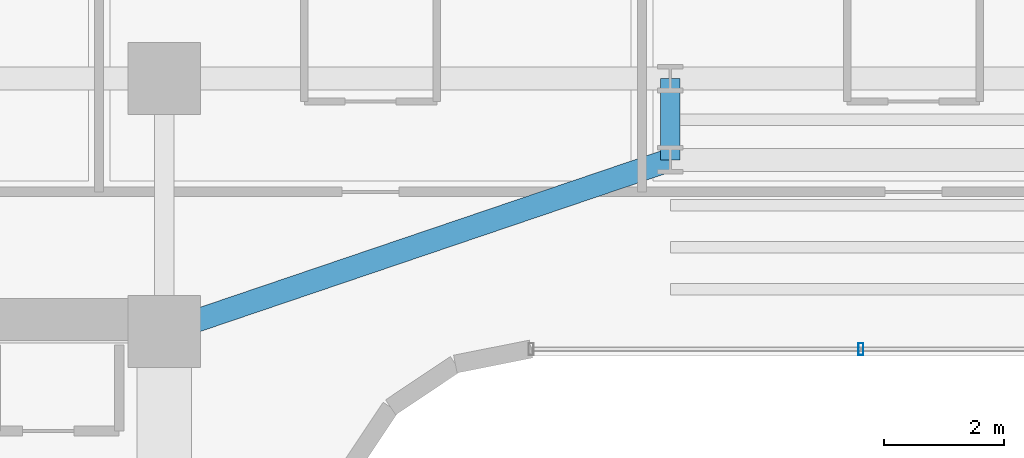
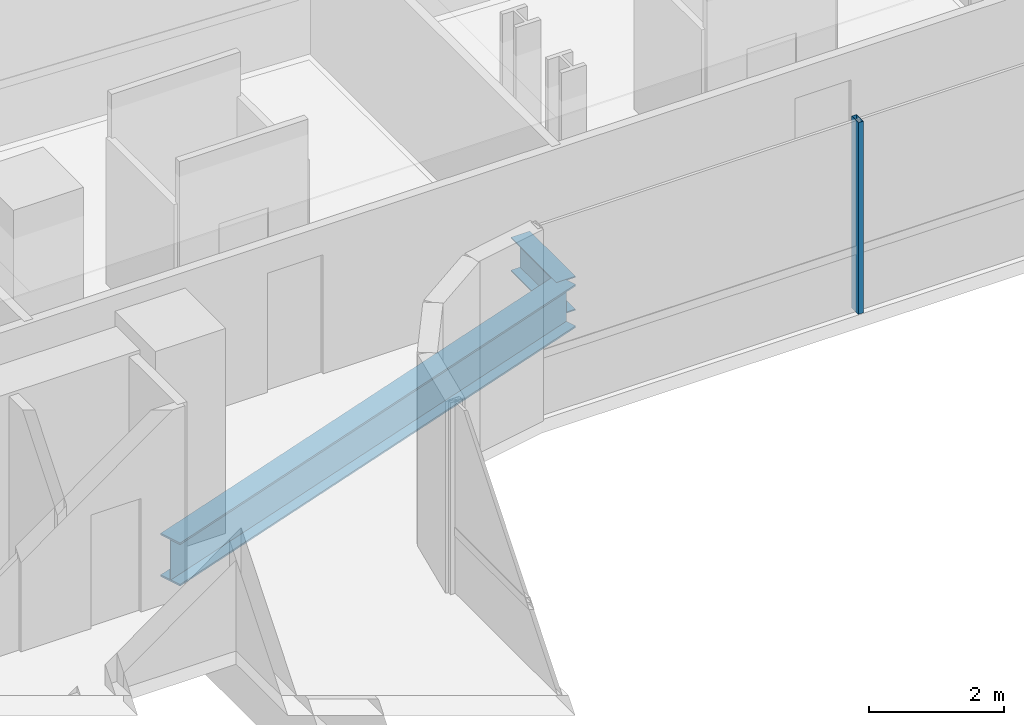
# One storey, part 11 of 35: 2 beams, 1 member, 1 element without a shape of its own.
"""IFC4 building model written with IfcOpenShell, lengths in metres."""

from ifc_helpers import new_model, si_unit, direction, frame, origin, origin_2d, place, context, subcontext, project, spatial, hollow_rectangle, i_section, extrude, source, transform, mapped, material, material_profile, profile_set, type_object, element, aggregate, save


model = new_model("IFC4")

# Units and contexts
model_context = context("Model", 3, precision=1e-05, world=origin(), true_north=direction((0.0, 1.0)))
body_context = subcontext(model_context, "Body", "Model", "MODEL_VIEW")
ifc_project = project(units=[si_unit("LENGTHUNIT", "METRE"), si_unit("AREAUNIT", "SQUARE_METRE"), si_unit("VOLUMEUNIT", "CUBIC_METRE"), si_unit("PLANEANGLEUNIT", "RADIAN"), si_unit("MASSUNIT", "GRAM", prefix="KILO")], contexts=[model_context])

# Site, building, storey
site_placement = place(None, origin())
site = spatial("IfcSite", under=ifc_project, at=site_placement, CompositionType="ELEMENT")
building_placement = place(site_placement, origin())
building = spatial("IfcBuilding", under=site, at=building_placement, Name="Valdorenza Pilgrim Sanctuary Tower", CompositionType="ELEMENT")
storey_placement = place(building_placement, frame((0.0, 0.0, 116.800048828125)))
storey = spatial("IfcBuildingStorey", under=building, at=storey_placement, Name="L29", CompositionType="ELEMENT", Elevation=116.800048828125)

# Beams
ifc_material_1 = material(Name="Steel ASTM A992 Grade 50", Category="steel")
ifc_material_profile_1 = material_profile(ifc_material_1, i_section(OverallWidth=0.323974609375, OverallDepth=0.611083984375, WebThickness=0.0126953125, FlangeThickness=0.01904296875, at=origin_2d()), Name="W24X104")
ifc_profile_set_1 = profile_set([ifc_material_profile_1], Name="Steel ASTM A992 Grade 50")
beam_type_1 = type_object("IfcBeamType", Name="STR-BM-GRD-W24B", PredefinedType="BEAM", material=ifc_profile_set_1)
shared_shape_1 = source(origin(), body_context, "Body", "SweptSolid", [
    extrude(i_section(OverallWidth=0.323974609375, OverallDepth=0.611083984375, WebThickness=0.0126953125, FlangeThickness=0.01904296875, at=origin_2d()), origin(), (0.0, 0.0, 1.0), 1.35009765625),
])
beam_1_placement = place(storey_placement, frame((-4.0, 13.449951171875, -0.545654296875), z_axis=(0.0, 1.0, 0.0), x_axis=(-1.0, 0.0, 0.0)))
element("IfcBeam", 1, at=beam_1_placement, inside=storey, type_object=beam_type_1, Name="L29 Floor Girder KNK-TIE-W", PredefinedType="BEAM", context=body_context, shape_type="MappedRepresentation", body=[
    mapped(shared_shape_1, transform((0.0, 0.0, 0.0), x_axis=(1.0, 0.0, 0.0), y_axis=(0.0, 1.0, 0.0), z_axis=(0.0, 0.0, 1.0), scale=1.0)),
])
ifc_material_profile_2 = material_profile(ifc_material_1, i_section(OverallWidth=0.382080078125, OverallDepth=0.779052734375, WebThickness=0.01806640625, FlangeThickness=0.030029296875, at=origin_2d()), Name="W30X191")
ifc_profile_set_2 = profile_set([ifc_material_profile_2], Name="Steel ASTM A992 Grade 50")
beam_type_2 = type_object("IfcBeamType", Name="STR-BM-GRD-W30", PredefinedType="BEAM", material=ifc_profile_set_2)
shared_shape_2 = source(origin(), body_context, "Body", "SweptSolid", [
    extrude(i_section(OverallWidth=0.382080078125, OverallDepth=0.779052734375, WebThickness=0.01806640625, FlangeThickness=0.030029296875, at=origin_2d()), origin(), (0.0, 0.0, 1.0), 8.8701171875),
])
beam_2_placement = place(storey_placement, frame((-12.39990234375, 10.60009765625, -0.629638671875), z_axis=(0.946982588361, 0.321284885018, 0.0), x_axis=(-0.321284885018, 0.946982588361, 0.0)))
element("IfcBeam", 2, at=beam_2_placement, inside=storey, type_object=beam_type_2, Name="L29 Floor Girder KNK-G1", PredefinedType="BEAM", context=body_context, shape_type="MappedRepresentation", body=[
    mapped(shared_shape_2, transform((0.0, 0.0, 0.0), x_axis=(1.0, 0.0, 0.0), y_axis=(0.0, 1.0, 0.0), z_axis=(0.0, 0.0, 1.0), scale=1.0)),
])

# Curtain wall, member
ifc_material_2 = material(Name="Curtain-wall IGU glazing", Category="glass")
curtain_wall_type = type_object("IfcCurtainWallType", Name="CW-SYS-02", PredefinedType="NOTDEFINED", material=ifc_material_2)
curtain_wall_placement = place(storey_placement, origin())
curtain_wall = element("IfcCurtainWall", 3, at=curtain_wall_placement, inside=storey, type_object=curtain_wall_type, Name="L29 Curtain Wall CW-L29-1-36", PredefinedType="NOTDEFINED")
ifc_material_3 = material(Name="Anodised aluminium AW-6060", Category="aluminium")
ifc_material_profile_3 = material_profile(ifc_material_3, hollow_rectangle(XDim=0.0849609375, YDim=0.199951171875, WallThickness=0.0048828125, at=origin_2d()), Name="ALU-M 200x85x5")
ifc_profile_set_3 = profile_set([ifc_material_profile_3], Name="Anodised aluminium AW-6060")
member_type = type_object("IfcMemberType", Name="CW-MUL-02", PredefinedType="MULLION", material=ifc_profile_set_3)
shared_shape_3 = source(origin(), body_context, "Body", "SweptSolid", [
    extrude(hollow_rectangle(XDim=0.0849609375, YDim=0.199951171875, WallThickness=0.0048828125, at=origin_2d()), origin(), (0.0, 0.0, 1.0), 3.4599609375),
])
member_placement = place(storey_placement, frame((-0.8369140625, 10.31005859375, 0.0), z_axis=(0.0, 0.0, 1.0), x_axis=(-1.0, 0.0, 0.0)))
member = element("IfcMember", 4, at=member_placement, type_object=member_type, Name="CW-L29-1-36 Mullion 3", PredefinedType="MULLION", context=body_context, shape_type="MappedRepresentation", body=[
    mapped(shared_shape_3, transform((0.0, 0.0, 0.0), x_axis=(1.0, 0.0, 0.0), y_axis=(0.0, 1.0, 0.0), z_axis=(0.0, 0.0, 1.0), scale=1.0)),
])
aggregate(curtain_wall, [member])

save(model, "model.ifc")
